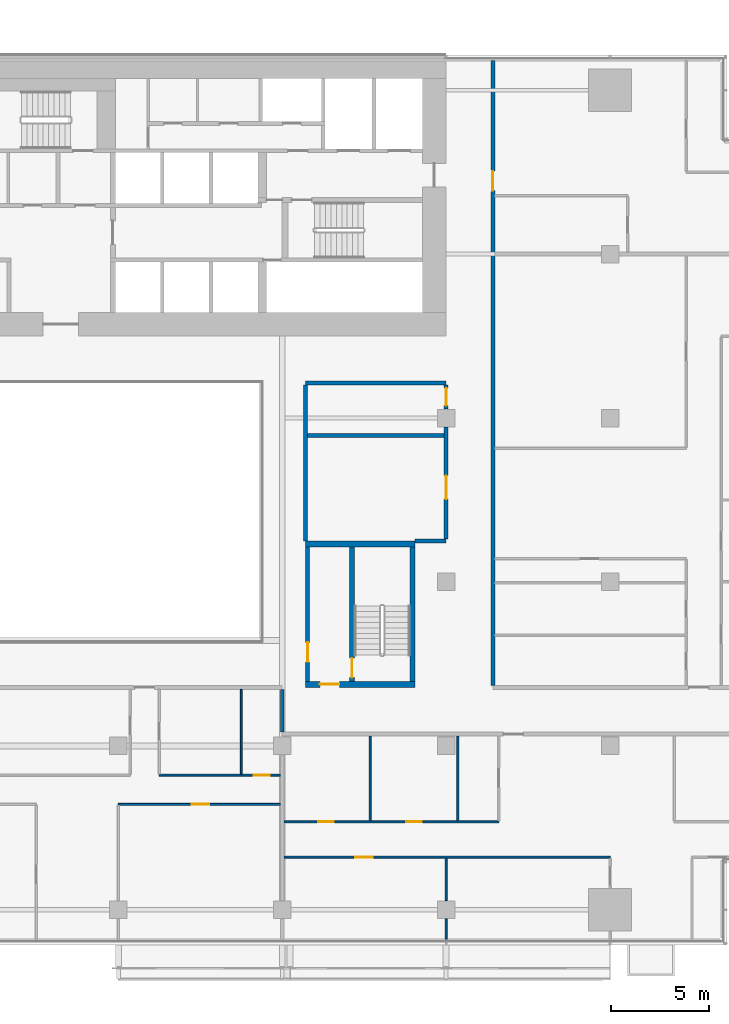
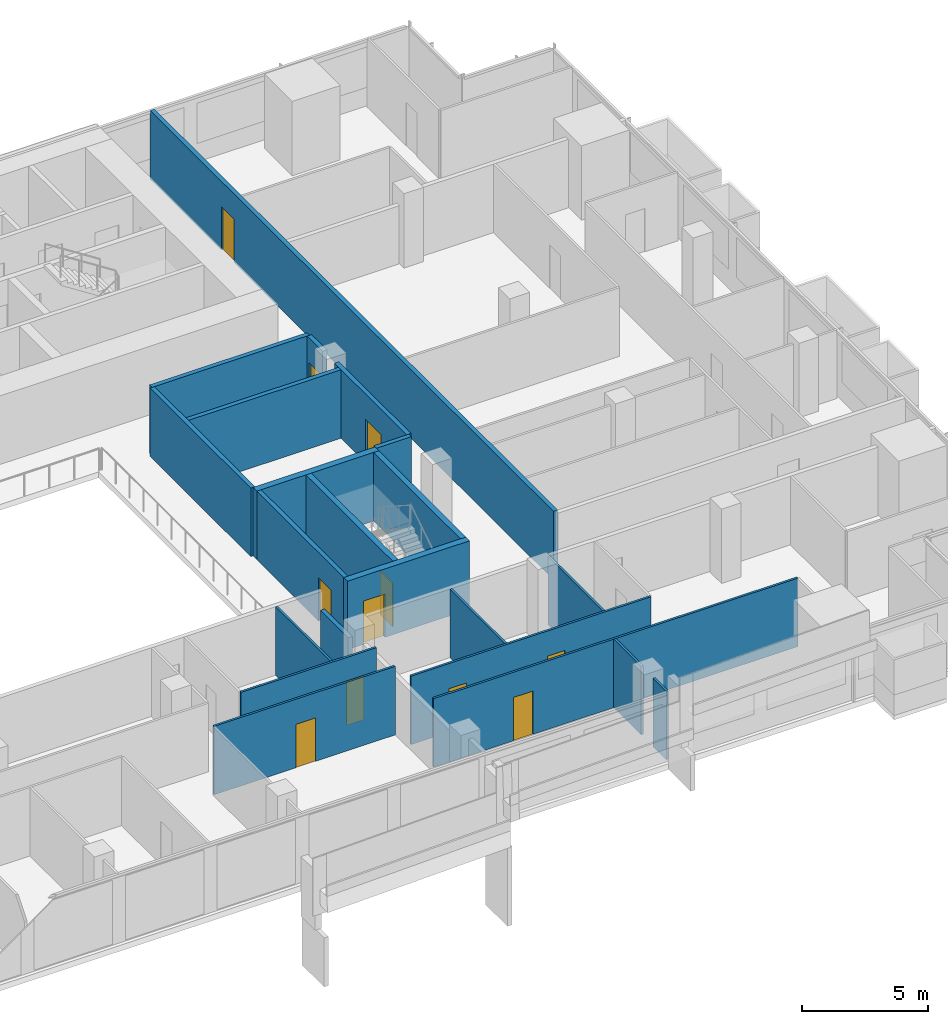
# One storey, part 19 of 27: 22 walls, 11 doors, 11 openings.
"""IFC4 building model written with IfcOpenShell, lengths in metres."""

from ifc_helpers import new_model, si_unit, direction, frame, frame_2d, origin, place, context, subcontext, project, spatial, rectangle, extrude, material, layer, layer_set, type_object, element, fill, save


model = new_model("IFC4")

# Units and contexts
model_context = context("Model", 3, precision=1e-05, world=origin(), true_north=direction((0.0, 1.0)))
body_context = subcontext(model_context, "Body", "Model", "MODEL_VIEW")
ifc_project = project(units=[si_unit("LENGTHUNIT", "METRE"), si_unit("AREAUNIT", "SQUARE_METRE"), si_unit("VOLUMEUNIT", "CUBIC_METRE"), si_unit("PLANEANGLEUNIT", "RADIAN"), si_unit("MASSUNIT", "GRAM", prefix="KILO")], contexts=[model_context])

# Site, building, storey
site_placement = place(None, origin())
site = spatial("IfcSite", under=ifc_project, at=site_placement, CompositionType="ELEMENT")
building_placement = place(site_placement, origin())
building = spatial("IfcBuilding", under=site, at=building_placement, Name="Saffron Gate Tower", CompositionType="ELEMENT")
storey_placement = place(building_placement, frame((0.0, 0.0, 44.39990234375)))
storey = spatial("IfcBuildingStorey", under=building, at=storey_placement, Name="L09", CompositionType="ELEMENT", Elevation=44.39990234375)

# Wall, opening, door
ifc_material_1 = material(Name="Gypsum board partition on steel studs", Category="steel")
ifc_layer_1 = layer(ifc_material_1, 0.199951171875)
ifc_layer_set_1 = layer_set([ifc_layer_1], Name="CW10 Core partition 200")
wall_type_1 = type_object("IfcWallType", Name="CW10 Core partition 200", PredefinedType="PARTITIONING", material=ifc_layer_set_1)
wall_1_placement = place(storey_placement, frame((101.5, 43.5, 0.0), z_axis=(0.0, 0.0, 1.0), x_axis=(0.0, 1.0, 0.0)))
wall_1 = element("IfcWall", 1, at=wall_1_placement, inside=storey, type_object=wall_type_1, Name="Wall CW10-L09-E-2", PredefinedType="PARTITIONING", context=body_context, shape_type="SweptSolid", body=[
    extrude(rectangle(XDim=6.89990234375, YDim=0.199951171875, at=frame_2d((3.449951171875, 0.0))), origin(), (0.0, 0.0, 1.0), 3.320068359375),
])
opening_1_placement = place(wall_1_placement, frame((1.0, 0.0, 0.0)))
opening_1 = element("IfcOpeningElement", 2, at=opening_1_placement, cuts=wall_1, Name="Opening CR-22", PredefinedType="OPENING", context=body_context, shape_type="SweptSolid", body=[
    extrude(rectangle(XDim=1.0, YDim=2.10009765625, at=frame_2d((0.5, 1.050048828125))), frame((0.0, 0.10986328125, 0.0), z_axis=(0.0, -1.0, 0.0), x_axis=(1.0, 0.0, 0.0)), (0.0, 0.0, 1.0), 0.219970703125),
])
ifc_material_2 = material(Name="Steel fire door set", Category="steel")
door_type_1 = type_object("IfcDoorType", Name="CD4 Lobby door 1000x2100 EI 120", OperationType="NOTDEFINED", PredefinedType="DOOR", material=ifc_material_2)
door_1_placement = place(opening_1_placement, origin())
door_1 = element("IfcDoor", 3, at=door_1_placement, inside=storey, type_object=door_type_1, Name="DOOR CR-22", OperationType="SINGLE_SWING_LEFT", OverallHeight=2.10009765625, OverallWidth=1.0, PredefinedType="DOOR", context=body_context, shape_type="SweptSolid", body=[
    extrude(rectangle(XDim=1.0, YDim=2.10009765625, at=frame_2d((0.5, 1.050048828125))), frame((0.0, 0.02490234375, 0.0), z_axis=(0.0, -1.0, 0.0), x_axis=(1.0, 0.0, 0.0)), (0.0, 0.0, 1.0), 0.050048828125),
])
fill(opening_1, door_1)

ifc_material_3 = material(Name="Concrete C70", Category="concrete")
ifc_layer_2 = layer(ifc_material_3, 0.25)
ifc_layer_set_2 = layer_set([ifc_layer_2], Name="CW2 RC core wall 250 C70")
wall_type_2 = type_object("IfcWallType", Name="CW2 RC core wall 250 C70", PredefinedType="SOLIDWALL", material=ifc_layer_set_2)
wall_2_placement = place(storey_placement, frame((103.77490234375, 43.5, 0.0), z_axis=(0.0, 0.0, 1.0), x_axis=(0.0, 1.0, 0.0)))
wall_2 = element("IfcWall", 4, at=wall_2_placement, inside=storey, type_object=wall_type_2, Name="Wall CW2-L09-E-3", PredefinedType="SOLIDWALL", context=body_context, shape_type="SweptSolid", body=[
    extrude(rectangle(XDim=6.89990234375, YDim=0.25, at=frame_2d((3.449951171875, 0.0))), origin(), (0.0, 0.0, 1.0), 3.320068359375),
])
opening_2_placement = place(wall_2_placement, frame((0.199951171875, 0.0, 0.0)))
opening_2 = element("IfcOpeningElement", 5, at=opening_2_placement, cuts=wall_2, Name="Opening CR-23", PredefinedType="OPENING", context=body_context, shape_type="SweptSolid", body=[
    extrude(rectangle(XDim=1.0, YDim=2.10009765625, at=frame_2d((0.5, 1.050048828125))), frame((0.0, 0.135009765625, 0.0), z_axis=(0.0, -1.0, 0.0), x_axis=(1.0, 0.0, 0.0)), (0.0, 0.0, 1.0), 0.27001953125),
])
door_type_2 = type_object("IfcDoorType", Name="CD5 Stair door 1000x2100 EI 120", OperationType="NOTDEFINED", PredefinedType="DOOR", material=ifc_material_2)
door_2_placement = place(opening_2_placement, origin())
door_2 = element("IfcDoor", 6, at=door_2_placement, inside=storey, type_object=door_type_2, Name="DOOR CR-23", OperationType="SINGLE_SWING_RIGHT", OverallHeight=2.10009765625, OverallWidth=1.0, PredefinedType="DOOR", context=body_context, shape_type="SweptSolid", body=[
    extrude(rectangle(XDim=1.0, YDim=2.10009765625, at=frame_2d((0.5, 1.050048828125))), frame((0.0, 0.02490234375, 0.0), z_axis=(0.0, -1.0, 0.0), x_axis=(1.0, 0.0, 0.0)), (0.0, 0.0, 1.0), 0.050048828125),
])
fill(opening_2, door_2)

# Wall
wall_3_placement = place(storey_placement, frame((106.875, 43.5, 0.0), z_axis=(0.0, 0.0, 1.0), x_axis=(0.0, 1.0, 0.0)))
element("IfcWall", 7, at=wall_3_placement, inside=storey, type_object=wall_type_2, Name="Wall CW2-L09-E-4", PredefinedType="SOLIDWALL", context=body_context, shape_type="SweptSolid", body=[
    extrude(rectangle(XDim=6.89990234375, YDim=0.25, at=frame_2d((3.449951171875, 0.0))), origin(), (0.0, 0.0, 1.0), 3.320068359375),
])

# Wall, opening, door
ifc_layer_3 = layer(ifc_material_3, 0.300048828125)
ifc_layer_set_3 = layer_set([ifc_layer_3], Name="CW5 RC core wall 300 C70")
wall_type_3 = type_object("IfcWallType", Name="CW5 RC core wall 300 C70", PredefinedType="SOLIDWALL", material=ifc_layer_set_3)
wall_4_placement = place(storey_placement, frame((101.39990234375, 43.35009765625, 0.0), z_axis=(0.0, 0.0, 1.0), x_axis=(1.0, 0.0, 0.0)))
wall_4 = element("IfcWall", 8, at=wall_4_placement, inside=storey, type_object=wall_type_3, Name="Wall CW5-L09-E-1", PredefinedType="SOLIDWALL", context=body_context, shape_type="SweptSolid", body=[
    extrude(rectangle(XDim=5.60009765625, YDim=0.300048828125, at=frame_2d((2.800048828125, 0.0))), origin(), (0.0, 0.0, 1.0), 3.320068359375),
])
opening_3_placement = place(wall_4_placement, frame((0.72509765625, 0.0, 0.0)))
opening_3 = element("IfcOpeningElement", 9, at=opening_3_placement, cuts=wall_4, Name="Opening CR-21", PredefinedType="OPENING", context=body_context, shape_type="SweptSolid", body=[
    extrude(rectangle(XDim=1.0, YDim=2.10009765625, at=frame_2d((0.5, 1.050048828125))), frame((0.0, 0.16015625, 0.0), z_axis=(0.0, -1.0, 0.0), x_axis=(1.0, 0.0, 0.0)), (0.0, 0.0, 1.0), 0.320068359375),
])
door_3_placement = place(opening_3_placement, origin())
door_3 = element("IfcDoor", 10, at=door_3_placement, inside=storey, type_object=door_type_1, Name="DOOR CR-21", OperationType="SINGLE_SWING_RIGHT", OverallHeight=2.10009765625, OverallWidth=1.0, PredefinedType="DOOR", context=body_context, shape_type="SweptSolid", body=[
    extrude(rectangle(XDim=1.0, YDim=2.10009765625, at=frame_2d((0.5, 1.050048828125))), frame((0.0, 0.02490234375, 0.0), z_axis=(0.0, -1.0, 0.0), x_axis=(1.0, 0.0, 0.0)), (0.0, 0.0, 1.0), 0.050048828125),
])
fill(opening_3, door_3)

# Wall
wall_5_placement = place(storey_placement, frame((101.39990234375, 50.550048828125, 0.0), z_axis=(0.0, 0.0, 1.0), x_axis=(1.0, 0.0, 0.0)))
element("IfcWall", 11, at=wall_5_placement, inside=storey, type_object=wall_type_3, Name="Wall CW5-L09-E-5", PredefinedType="SOLIDWALL", context=body_context, shape_type="SweptSolid", body=[
    extrude(rectangle(XDim=5.60009765625, YDim=0.300048828125, at=frame_2d((2.800048828125, 0.0))), origin(), (0.0, 0.0, 1.0), 3.320068359375),
])

# Wall, opening, door
ifc_material_4 = material(Name="Plasterboard on steel studs", Category="steel")
ifc_layer_4 = layer(ifc_material_4, 0.10009765625)
ifc_layer_set_4 = layer_set([ifc_layer_4], Name="PW1 Partition 100")
wall_type_4 = type_object("IfcWallType", Name="PW1 Partition 100", PredefinedType="PARTITIONING", material=ifc_layer_set_4)
wall_6_placement = place(storey_placement, frame((117.0, 34.5, 0.0), z_axis=(0.0, 0.0, 1.0), x_axis=(-1.0, 0.0, 0.0)))
wall_6 = element("IfcWall", 12, at=wall_6_placement, inside=storey, type_object=wall_type_4, Name="Partition A1-3", PredefinedType="PARTITIONING", context=body_context, shape_type="SweptSolid", body=[
    extrude(rectangle(XDim=16.699951171875, YDim=0.10009765625, at=frame_2d((8.35009765625, 0.0))), origin(), (0.0, 0.0, 1.0), 3.320068359375),
])
opening_4_placement = place(wall_6_placement, frame((12.14990234375, 0.0, 0.0)))
opening_4 = element("IfcOpeningElement", 13, at=opening_4_placement, cuts=wall_6, Name="Opening A1-18", PredefinedType="OPENING", context=body_context, shape_type="SweptSolid", body=[
    extrude(rectangle(XDim=0.89990234375, YDim=2.10009765625, at=frame_2d((0.449951171875, 1.050048828125))), frame((0.0, 0.06005859375, 0.0), z_axis=(0.0, -1.0, 0.0), x_axis=(1.0, 0.0, 0.0)), (0.0, 0.0, 1.0), 0.1201171875),
])
ifc_material_5 = material(Name="Timber door set", Category="wood")
door_type_3 = type_object("IfcDoorType", Name="RD1 Room door 900x2100", OperationType="NOTDEFINED", PredefinedType="DOOR", material=ifc_material_5)
door_4_placement = place(opening_4_placement, origin())
door_4 = element("IfcDoor", 14, at=door_4_placement, inside=storey, type_object=door_type_3, Name="Door A1-18", OperationType="SINGLE_SWING_RIGHT", OverallHeight=2.10009765625, OverallWidth=0.89990234375, PredefinedType="DOOR", context=body_context, shape_type="SweptSolid", body=[
    extrude(rectangle(XDim=0.89990234375, YDim=2.10009765625, at=frame_2d((0.449951171875, 1.050048828125))), frame((0.0, 0.02490234375, 0.0), z_axis=(0.0, -1.0, 0.0), x_axis=(1.0, 0.0, 0.0)), (0.0, 0.0, 1.0), 0.050048828125),
])
fill(opening_4, door_4)

# Wall, openings, doors
wall_7_placement = place(storey_placement, frame((100.300048828125, 36.300048828125, 0.0), z_axis=(0.0, 0.0, 1.0), x_axis=(1.0, 0.0, 0.0)))
wall_7 = element("IfcWall", 15, at=wall_7_placement, inside=storey, type_object=wall_type_4, Name="Partition A1-7", PredefinedType="PARTITIONING", context=body_context, shape_type="SweptSolid", body=[
    extrude(rectangle(XDim=11.0, YDim=0.10009765625, at=frame_2d((5.5, 0.0))), origin(), (0.0, 0.0, 1.0), 3.320068359375),
])
opening_5_placement = place(wall_7_placement, frame((1.75, 0.0, 0.0)))
opening_5 = element("IfcOpeningElement", 16, at=opening_5_placement, cuts=wall_7, Name="Opening A1-40", PredefinedType="OPENING", context=body_context, shape_type="SweptSolid", body=[
    extrude(rectangle(XDim=0.800048828125, YDim=2.10009765625, at=frame_2d((0.39990234375, 1.050048828125))), frame((0.0, 0.06005859375, 0.0), z_axis=(0.0, -1.0, 0.0), x_axis=(1.0, 0.0, 0.0)), (0.0, 0.0, 1.0), 0.1201171875),
])
opening_6_placement = place(wall_7_placement, frame((6.25, 0.0, 0.0)))
opening_6 = element("IfcOpeningElement", 17, at=opening_6_placement, cuts=wall_7, Name="Opening A1-41", PredefinedType="OPENING", context=body_context, shape_type="SweptSolid", body=[
    extrude(rectangle(XDim=0.800048828125, YDim=2.10009765625, at=frame_2d((0.39990234375, 1.050048828125))), frame((0.0, 0.06005859375, 0.0), z_axis=(0.0, -1.0, 0.0), x_axis=(1.0, 0.0, 0.0)), (0.0, 0.0, 1.0), 0.1201171875),
])
door_type_4 = type_object("IfcDoorType", Name="RD2 Bathroom door 800x2100", OperationType="NOTDEFINED", PredefinedType="DOOR", material=ifc_material_5)
door_5_placement = place(opening_5_placement, origin())
door_5 = element("IfcDoor", 18, at=door_5_placement, inside=storey, type_object=door_type_4, Name="Door A1-40", OperationType="SINGLE_SWING_LEFT", OverallHeight=2.10009765625, OverallWidth=0.800048828125, PredefinedType="DOOR", context=body_context, shape_type="SweptSolid", body=[
    extrude(rectangle(XDim=0.800048828125, YDim=2.10009765625, at=frame_2d((0.39990234375, 1.050048828125))), frame((0.0, 0.02490234375, 0.0), z_axis=(0.0, -1.0, 0.0), x_axis=(1.0, 0.0, 0.0)), (0.0, 0.0, 1.0), 0.050048828125),
])
fill(opening_5, door_5)
door_6_placement = place(opening_6_placement, origin())
door_6 = element("IfcDoor", 19, at=door_6_placement, inside=storey, type_object=door_type_4, Name="Door A1-41", OperationType="SINGLE_SWING_RIGHT", OverallHeight=2.10009765625, OverallWidth=0.800048828125, PredefinedType="DOOR", context=body_context, shape_type="SweptSolid", body=[
    extrude(rectangle(XDim=0.800048828125, YDim=2.10009765625, at=frame_2d((0.39990234375, 1.050048828125))), frame((0.0, 0.02490234375, 0.0), z_axis=(0.0, -1.0, 0.0), x_axis=(1.0, 0.0, 0.0)), (0.0, 0.0, 1.0), 0.050048828125),
])
fill(opening_6, door_6)

# Wall, opening, door
wall_8_placement = place(storey_placement, frame((100.10009765625, 37.199951171875, 0.0), z_axis=(0.0, 0.0, 1.0), x_axis=(-1.0, 0.0, 0.0)))
wall_8 = element("IfcWall", 20, at=wall_8_placement, inside=storey, type_object=wall_type_4, Name="Partition A1-10", PredefinedType="PARTITIONING", context=body_context, shape_type="SweptSolid", body=[
    extrude(rectangle(XDim=8.300048828125, YDim=0.10009765625, at=frame_2d((4.14990234375, 0.0))), origin(), (0.0, 0.0, 1.0), 3.320068359375),
])
opening_7_placement = place(wall_8_placement, frame((3.64990234375, 0.0, 0.0)))
opening_7 = element("IfcOpeningElement", 21, at=opening_7_placement, cuts=wall_8, Name="Opening A1-16", PredefinedType="OPENING", context=body_context, shape_type="SweptSolid", body=[
    extrude(rectangle(XDim=0.89990234375, YDim=2.10009765625, at=frame_2d((0.449951171875, 1.050048828125))), frame((0.0, 0.06005859375, 0.0), z_axis=(0.0, -1.0, 0.0), x_axis=(1.0, 0.0, 0.0)), (0.0, 0.0, 1.0), 0.1201171875),
])
door_7_placement = place(opening_7_placement, origin())
door_7 = element("IfcDoor", 22, at=door_7_placement, inside=storey, type_object=door_type_3, Name="Door A1-16", OperationType="SINGLE_SWING_LEFT", OverallHeight=2.10009765625, OverallWidth=0.89990234375, PredefinedType="DOOR", context=body_context, shape_type="SweptSolid", body=[
    extrude(rectangle(XDim=0.89990234375, YDim=2.10009765625, at=frame_2d((0.449951171875, 1.050048828125))), frame((0.0, 0.02490234375, 0.0), z_axis=(0.0, -1.0, 0.0), x_axis=(1.0, 0.0, 0.0)), (0.0, 0.0, 1.0), 0.050048828125),
])
fill(opening_7, door_7)

wall_9_placement = place(storey_placement, frame((93.89990234375, 38.699951171875, 0.0), z_axis=(0.0, 0.0, 1.0), x_axis=(1.0, 0.0, 0.0)))
wall_9 = element("IfcWall", 23, at=wall_9_placement, inside=storey, type_object=wall_type_4, Name="Partition A1-12", PredefinedType="PARTITIONING", context=body_context, shape_type="SweptSolid", body=[
    extrude(rectangle(XDim=6.2001953125, YDim=0.10009765625, at=frame_2d((3.10009765625, 0.0))), origin(), (0.0, 0.0, 1.0), 3.320068359375),
])
opening_8_placement = place(wall_9_placement, frame((4.85009765625, 0.0, 0.0)))
opening_8 = element("IfcOpeningElement", 24, at=opening_8_placement, cuts=wall_9, Name="Opening A1-39", PredefinedType="OPENING", context=body_context, shape_type="SweptSolid", body=[
    extrude(rectangle(XDim=0.800048828125, YDim=2.10009765625, at=frame_2d((0.39990234375, 1.050048828125))), frame((0.0, 0.06005859375, 0.0), z_axis=(0.0, -1.0, 0.0), x_axis=(1.0, 0.0, 0.0)), (0.0, 0.0, 1.0), 0.1201171875),
])
door_8_placement = place(opening_8_placement, origin())
door_8 = element("IfcDoor", 25, at=door_8_placement, inside=storey, type_object=door_type_4, Name="Door A1-39", OperationType="SINGLE_SWING_RIGHT", OverallHeight=2.10009765625, OverallWidth=0.800048828125, PredefinedType="DOOR", context=body_context, shape_type="SweptSolid", body=[
    extrude(rectangle(XDim=0.800048828125, YDim=2.10009765625, at=frame_2d((0.39990234375, 1.050048828125))), frame((0.0, 0.02490234375, 0.0), z_axis=(0.0, -1.0, 0.0), x_axis=(1.0, 0.0, 0.0)), (0.0, 0.0, 1.0), 0.050048828125),
])
fill(opening_8, door_8)

# Walls
wall_10_placement = place(storey_placement, frame((98.10009765625, 43.10009765625, 0.0), z_axis=(0.0, 0.0, 1.0), x_axis=(0.0, -1.0, 0.0)))
element("IfcWall", 26, at=wall_10_placement, inside=storey, type_object=wall_type_4, Name="Partition A1-84", PredefinedType="PARTITIONING", context=body_context, shape_type="SweptSolid", body=[
    extrude(rectangle(XDim=4.35009765625, YDim=0.10009765625, at=frame_2d((2.175048828125, 0.0))), origin(), (0.0, 0.0, 1.0), 3.320068359375),
])
wall_11_placement = place(storey_placement, frame((104.699951171875, 40.699951171875, 0.0), z_axis=(0.0, 0.0, 1.0), x_axis=(0.0, -1.0, 0.0)))
element("IfcWall", 27, at=wall_11_placement, inside=storey, type_object=wall_type_4, Name="Partition A1-89", PredefinedType="PARTITIONING", context=body_context, shape_type="SweptSolid", body=[
    extrude(rectangle(XDim=4.349853515625, YDim=0.10009765625, at=frame_2d((2.1748046875, 0.0))), origin(), (0.0, 0.0, 1.0), 3.320068359375),
])
wall_12_placement = place(storey_placement, frame((108.60009765625, 31.330078125, 0.0), z_axis=(0.0, 0.0, 1.0), x_axis=(0.0, -1.0, 0.0)))
element("IfcWall", 28, at=wall_12_placement, inside=storey, type_object=wall_type_4, Name="Partition A1-92", PredefinedType="PARTITIONING", context=body_context, shape_type="SweptSolid", body=[
    extrude(rectangle(XDim=1.050048828125, YDim=0.10009765625, at=frame_2d((0.52490234375, 0.0))), origin(), (0.0, 0.0, 1.0), 3.320068359375),
])
wall_13_placement = place(storey_placement, frame((108.60009765625, 34.449951171875, 0.0), z_axis=(0.0, 0.0, 1.0), x_axis=(0.0, -1.0, 0.0)))
element("IfcWall", 29, at=wall_13_placement, inside=storey, type_object=wall_type_4, Name="Partition A1-93", PredefinedType="PARTITIONING", context=body_context, shape_type="SweptSolid", body=[
    extrude(rectangle(XDim=2.179931640625, YDim=0.10009765625, at=frame_2d((1.08984375, 0.0))), origin(), (0.0, 0.0, 1.0), 3.320068359375),
])
wall_14_placement = place(storey_placement, frame((109.199951171875, 40.699951171875, 0.0), z_axis=(0.0, 0.0, 1.0), x_axis=(0.0, -1.0, 0.0)))
element("IfcWall", 30, at=wall_14_placement, inside=storey, type_object=wall_type_4, Name="Partition A1-94", PredefinedType="PARTITIONING", context=body_context, shape_type="SweptSolid", body=[
    extrude(rectangle(XDim=4.349853515625, YDim=0.10009765625, at=frame_2d((2.1748046875, 0.0))), origin(), (0.0, 0.0, 1.0), 3.320068359375),
])
ifc_material_6 = material(Name="Clay brick masonry, rendered", Category="masonry")
ifc_layer_5 = layer(ifc_material_6, 0.199951171875)
ifc_layer_set_5 = layer_set([ifc_layer_5], Name="PW3 Corridor wall 200")
wall_type_5 = type_object("IfcWallType", Name="PW3 Corridor wall 200", PredefinedType="PARTITIONING", material=ifc_layer_set_5)
wall_15_placement = place(storey_placement, frame((107.0, 50.699951171875, 0.0), z_axis=(0.0, 0.0, 1.0), x_axis=(1.0, 0.0, 0.0)))
element("IfcWall", 31, at=wall_15_placement, inside=storey, type_object=wall_type_5, Name="Wall A1-31", PredefinedType="PARTITIONING", context=body_context, shape_type="SweptSolid", body=[
    extrude(rectangle(XDim=1.60009765625, YDim=0.199951171875, at=frame_2d((0.800048828125, 0.0))), origin(), (0.0, 0.0, 1.0), 3.320068359375),
])
wall_16_placement = place(storey_placement, frame((101.39990234375, 58.800048828125, 0.0), z_axis=(0.0, 0.0, 1.0), x_axis=(1.0, 0.0, 0.0)))
element("IfcWall", 32, at=wall_16_placement, inside=storey, type_object=wall_type_5, Name="Wall A1-39", PredefinedType="PARTITIONING", context=body_context, shape_type="SweptSolid", body=[
    extrude(rectangle(XDim=7.2001953125, YDim=0.199951171875, at=frame_2d((3.60009765625, 0.0))), origin(), (0.0, 0.0, 1.0), 3.320068359375),
])
wall_17_placement = place(storey_placement, frame((100.199951171875, 43.10009765625, 0.0), z_axis=(0.0, 0.0, 1.0), x_axis=(0.0, -1.0, 0.0)))
element("IfcWall", 33, at=wall_17_placement, inside=storey, type_object=wall_type_5, Name="Wall A1-85", PredefinedType="PARTITIONING", context=body_context, shape_type="SweptSolid", body=[
    extrude(rectangle(XDim=2.2001953125, YDim=0.199951171875, at=frame_2d((1.10009765625, 0.0))), origin(), (0.0, 0.0, 1.0), 2.43017578125),
])
wall_18_placement = place(storey_placement, frame((101.39990234375, 58.699951171875, 0.0), z_axis=(0.0, 0.0, 1.0), x_axis=(0.0, -1.0, 0.0)))
element("IfcWall", 34, at=wall_18_placement, inside=storey, type_object=wall_type_5, Name="Wall A1-88", PredefinedType="PARTITIONING", context=body_context, shape_type="SweptSolid", body=[
    extrude(rectangle(XDim=8.0, YDim=0.199951171875, at=frame_2d((4.0, 0.0))), origin(), (0.0, 0.0, 1.0), 3.320068359375),
])

# Wall, opening, door
wall_19_placement = place(storey_placement, frame((108.60009765625, 50.800048828125, 0.0), z_axis=(0.0, 0.0, 1.0), x_axis=(0.0, 1.0, 0.0)))
wall_19 = element("IfcWall", 35, at=wall_19_placement, inside=storey, type_object=wall_type_5, Name="Wall A1-90", PredefinedType="PARTITIONING", context=body_context, shape_type="SweptSolid", body=[
    extrude(rectangle(XDim=5.72998046875, YDim=0.199951171875, at=frame_2d((2.864990234375, 0.0))), origin(), (0.0, 0.0, 1.0), 3.320068359375),
])
opening_9_placement = place(wall_19_placement, frame((2.050048828125, 0.0, 0.0)))
opening_9 = element("IfcOpeningElement", 36, at=opening_9_placement, cuts=wall_19, Name="Opening A1-48", PredefinedType="OPENING", context=body_context, shape_type="SweptSolid", body=[
    extrude(rectangle(XDim=1.199951171875, YDim=2.10009765625, at=frame_2d((0.60009765625, 1.050048828125))), frame((0.0, 0.10986328125, 0.0), z_axis=(0.0, -1.0, 0.0), x_axis=(1.0, 0.0, 0.0)), (0.0, 0.0, 1.0), 0.219970703125),
])
door_type_5 = type_object("IfcDoorType", Name="HD1 Hall door 1200x2100", OperationType="NOTDEFINED", PredefinedType="DOOR", material=ifc_material_5)
door_9_placement = place(opening_9_placement, origin())
door_9 = element("IfcDoor", 37, at=door_9_placement, inside=storey, type_object=door_type_5, Name="Door A1-48", OperationType="SINGLE_SWING_RIGHT", OverallHeight=2.10009765625, OverallWidth=1.199951171875, PredefinedType="DOOR", context=body_context, shape_type="SweptSolid", body=[
    extrude(rectangle(XDim=1.199951171875, YDim=2.10009765625, at=frame_2d((0.60009765625, 1.050048828125))), frame((0.0, 0.02490234375, 0.0), z_axis=(0.0, -1.0, 0.0), x_axis=(1.0, 0.0, 0.0)), (0.0, 0.0, 1.0), 0.050048828125),
])
fill(opening_9, door_9)

wall_20_placement = place(storey_placement, frame((108.60009765625, 57.469970703125, 0.0), z_axis=(0.0, 0.0, 1.0), x_axis=(0.0, 1.0, 0.0)))
wall_20 = element("IfcWall", 38, at=wall_20_placement, inside=storey, type_object=wall_type_5, Name="Wall A1-91", PredefinedType="PARTITIONING", context=body_context, shape_type="SweptSolid", body=[
    extrude(rectangle(XDim=1.22998046875, YDim=0.199951171875, at=frame_2d((0.614990234375, 0.0))), origin(), (0.0, 0.0, 1.0), 3.320068359375),
])
opening_10_placement = place(wall_20_placement, frame((0.1650390625, 0.0, 0.0)))
opening_10 = element("IfcOpeningElement", 39, at=opening_10_placement, cuts=wall_20, Name="Opening A1-35", PredefinedType="OPENING", context=body_context, shape_type="SweptSolid", body=[
    extrude(rectangle(XDim=0.89990234375, YDim=2.10009765625, at=frame_2d((0.449951171875, 1.050048828125))), frame((0.0, 0.10986328125, 0.0), z_axis=(0.0, -1.0, 0.0), x_axis=(1.0, 0.0, 0.0)), (0.0, 0.0, 1.0), 0.219970703125),
])
door_10_placement = place(opening_10_placement, origin())
door_10 = element("IfcDoor", 40, at=door_10_placement, inside=storey, type_object=door_type_3, Name="Door A1-35", OperationType="SINGLE_SWING_RIGHT", OverallHeight=2.10009765625, OverallWidth=0.89990234375, PredefinedType="DOOR", context=body_context, shape_type="SweptSolid", body=[
    extrude(rectangle(XDim=0.89990234375, YDim=2.10009765625, at=frame_2d((0.449951171875, 1.050048828125))), frame((0.0, 0.02490234375, 0.0), z_axis=(0.0, -1.0, 0.0), x_axis=(1.0, 0.0, 0.0)), (0.0, 0.0, 1.0), 0.050048828125),
])
fill(opening_10, door_10)

wall_21_placement = place(storey_placement, frame((111.0, 75.320068359375, 0.0), z_axis=(0.0, 0.0, 1.0), x_axis=(0.0, -1.0, 0.0)))
wall_21 = element("IfcWall", 41, at=wall_21_placement, inside=storey, type_object=wall_type_5, Name="Wall A1-95", PredefinedType="PARTITIONING", context=body_context, shape_type="SweptSolid", body=[
    extrude(rectangle(XDim=32.02001953125, YDim=0.199951171875, at=frame_2d((16.010009765625, 0.0))), origin(), (0.0, 0.0, 1.0), 3.320068359375),
])
opening_11_placement = place(wall_21_placement, frame((5.669921875, 0.0, 0.0)))
opening_11 = element("IfcOpeningElement", 42, at=opening_11_placement, cuts=wall_21, Name="Opening A1-7", PredefinedType="OPENING", context=body_context, shape_type="SweptSolid", body=[
    extrude(rectangle(XDim=1.0, YDim=2.10009765625, at=frame_2d((0.5, 1.050048828125))), frame((0.0, 0.10986328125, 0.0), z_axis=(0.0, -1.0, 0.0), x_axis=(1.0, 0.0, 0.0)), (0.0, 0.0, 1.0), 0.219970703125),
])
ifc_material_7 = material(Name="Timber fire door set", Category="wood")
door_type_6 = type_object("IfcDoorType", Name="FD1 Flat entry door 1000x2100", OperationType="NOTDEFINED", PredefinedType="DOOR", material=ifc_material_7)
door_11_placement = place(opening_11_placement, origin())
door_11 = element("IfcDoor", 43, at=door_11_placement, inside=storey, type_object=door_type_6, Name="Door A1-7", OperationType="SINGLE_SWING_RIGHT", OverallHeight=2.10009765625, OverallWidth=1.0, PredefinedType="DOOR", context=body_context, shape_type="SweptSolid", body=[
    extrude(rectangle(XDim=1.0, YDim=2.10009765625, at=frame_2d((0.5, 1.050048828125))), frame((0.0, 0.02490234375, 0.0), z_axis=(0.0, -1.0, 0.0), x_axis=(1.0, 0.0, 0.0)), (0.0, 0.0, 1.0), 0.050048828125),
])
fill(opening_11, door_11)

# Wall
ifc_layer_6 = layer(ifc_material_6, 0.199951171875)
ifc_layer_set_6 = layer_set([ifc_layer_6], Name="PW5 Room wall 200")
wall_type_6 = type_object("IfcWallType", Name="PW5 Room wall 200", PredefinedType="PARTITIONING", material=ifc_layer_set_6)
wall_22_placement = place(storey_placement, frame((101.5, 56.10009765625, 0.0), z_axis=(0.0, 0.0, 1.0), x_axis=(1.0, 0.0, 0.0)))
element("IfcWall", 44, at=wall_22_placement, inside=storey, type_object=wall_type_6, Name="Wall A1-36", PredefinedType="PARTITIONING", context=body_context, shape_type="SweptSolid", body=[
    extrude(rectangle(XDim=7.0, YDim=0.199951171875, at=frame_2d((3.5, 0.0))), origin(), (0.0, 0.0, 1.0), 3.320068359375),
])

save(model, "model.ifc")
